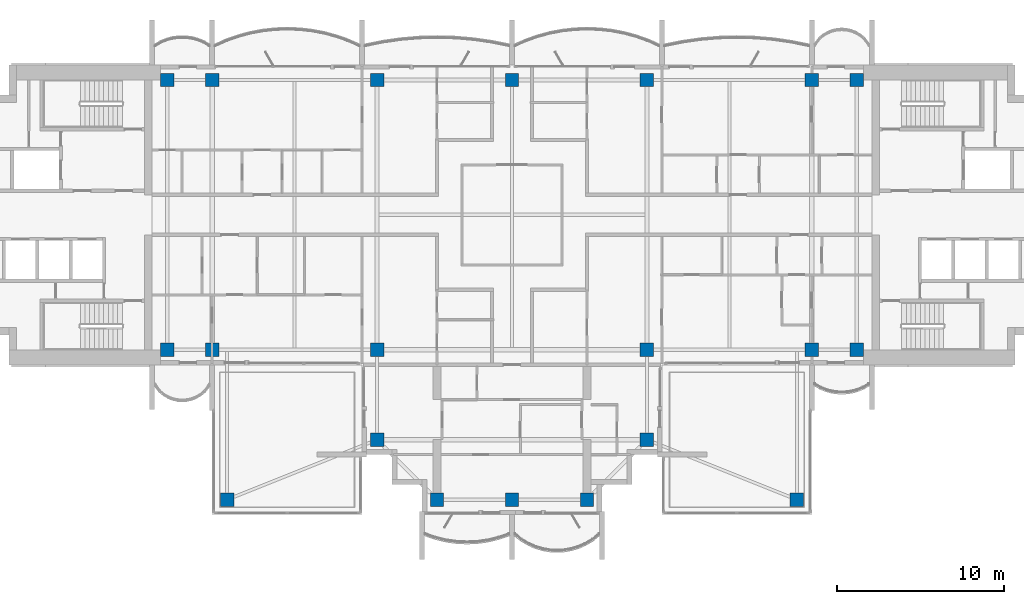
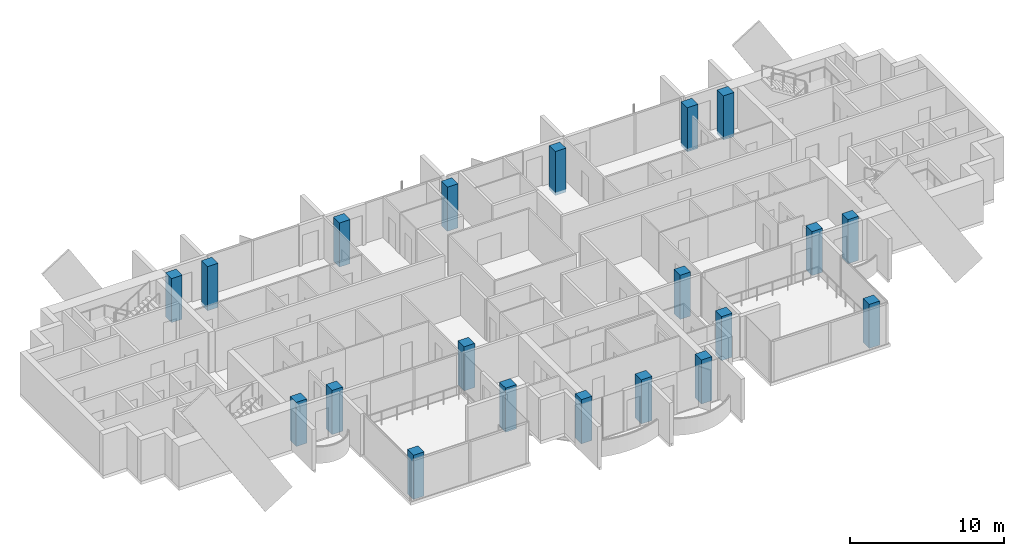
# One storey, part 1 of 16: 20 columns.
"""IFC4 building model written with IfcOpenShell, lengths in metres."""

import ifcopenshell
import ifcopenshell.guid

model = None  # the IFC model being written
_history = None  # IfcOwnerHistory: only IFC2X3 demands one
_inside = {}  # id of a spatial element -> (the spatial element, [elements in it])
_under = {}  # id of a project, library or spatial element -> (it, [spatial elements below it])
_declared = {}  # id of a project -> (the project, [libraries it declares])
_typed = {}  # id of a type object -> (the type object, [elements of that type])
_made_of = {}  # id of a material, layer set ... -> (it, [elements and type objects made of it])


def new_model(schema):
    """Start an empty IFC model of exactly this schema.

    Asked for "IFC4X3", IfcOpenShell would pick the latest addendum, in which some entities
    have other attributes; the version numbers below select the first issue.
    IFC2X3 requires an IfcOwnerHistory on every rooted entity: one is made here for all.
    """
    global model, _history
    if schema == "IFC4X3":
        model = ifcopenshell.file(schema_version=(4, 3, 0, 0))
    else:
        model = ifcopenshell.file(schema=schema)
    _inside.clear()
    _under.clear()
    _declared.clear()
    _typed.clear()
    _made_of.clear()
    _history = None
    if model.schema == "IFC2X3":
        org = make("IfcOrganization", Name="unknown")
        user = make(
            "IfcPersonAndOrganization",
            ThePerson=make("IfcPerson", FamilyName="unknown"),
            TheOrganization=org,
        )
        app = make(
            "IfcApplication",
            ApplicationDeveloper=org,
            Version="unknown",
            ApplicationFullName="unknown",
            ApplicationIdentifier="unknown",
        )
        _history = make(
            "IfcOwnerHistory",
            OwningUser=user,
            OwningApplication=app,
            ChangeAction="ADDED",
            CreationDate=0,
        )
    return model


def make(cls, **values):
    """One entity of the class cls with the attributes given. An attribute that is None is left unset."""
    return model.create_entity(
        cls, **{name: value for name, value in values.items() if value is not None}
    )


def rooted(cls, **values):
    """An entity with a GlobalId (a new one), such as an element, a storey or a relation."""
    return make(cls, GlobalId=ifcopenshell.guid.new(), OwnerHistory=_history, **values)


def si_unit(unit_type, name, prefix=None):
    """IfcSIUnit, for example si_unit("LENGTHUNIT", "METRE", prefix="MILLI")."""
    return make("IfcSIUnit", UnitType=unit_type, Prefix=prefix, Name=name)


def assignment(units):
    """IfcUnitAssignment: the units of a project."""
    return None if units is None else make("IfcUnitAssignment", Units=units)


def point(xyz):
    """IfcCartesianPoint."""
    return None if xyz is None else make("IfcCartesianPoint", Coordinates=xyz)


def direction(xyz):
    """IfcDirection."""
    return None if xyz is None else make("IfcDirection", DirectionRatios=xyz)


def frame(location, z_axis=None, x_axis=None):
    """IfcAxis2Placement3D, a coordinate frame: its origin and axes. An axis left out is left unset."""
    return make(
        "IfcAxis2Placement3D",
        Location=point(location),
        Axis=direction(z_axis),
        RefDirection=direction(x_axis),
    )


def frame_2d(location, x_axis=None):
    """IfcAxis2Placement2D, a coordinate frame in the plane: its origin and x axis."""
    return make(
        "IfcAxis2Placement2D", Location=point(location), RefDirection=direction(x_axis)
    )


def origin():
    """The frame at (0, 0, 0) with its axes left unset."""
    return frame((0.0, 0.0, 0.0))


def origin_2d():
    """The frame at (0, 0) in the plane with its x axis left unset."""
    return frame_2d((0.0, 0.0))


def place(relative_to, where):
    """IfcLocalPlacement: puts the frame where relative to a parent placement (None: the world)."""
    return make(
        "IfcLocalPlacement", PlacementRelTo=relative_to, RelativePlacement=where
    )


def context(
    kind, dimensions, precision=None, world=None, true_north=None, identifier=None
):
    """IfcGeometricRepresentationContext, for example the 3D "Model" context."""
    return make(
        "IfcGeometricRepresentationContext",
        ContextIdentifier=identifier,
        ContextType=kind,
        CoordinateSpaceDimension=dimensions,
        Precision=precision,
        WorldCoordinateSystem=world,
        TrueNorth=true_north,
    )


def subcontext(parent, identifier, kind, view, scale=None):
    """IfcGeometricRepresentationSubContext, for example "Body" below "Model"."""
    return make(
        "IfcGeometricRepresentationSubContext",
        ContextIdentifier=identifier,
        ContextType=kind,
        ParentContext=parent,
        TargetScale=scale,
        TargetView=view,
    )


def project(units=None, contexts=None):
    """IfcProject with its units and contexts."""
    return rooted(
        "IfcProject",
        Name="project",
        RepresentationContexts=contexts,
        UnitsInContext=assignment(units),
    )


def spatial(cls, under=None, at=None, **own):
    """A site, building, storey or space (cls), placed at a placement, below another one or the project."""
    s = rooted(cls, ObjectPlacement=at, **own)
    if under is not None:
        _under.setdefault(under.id(), (under, []))[1].append(s)
    return s


def profile(cls, at=None, kind="AREA", **sizes):
    """A parametric profile (cls). Its sizes go by their IFC names, for example OverallWidth=200.0."""
    return make(cls, ProfileType=kind, Position=at, **sizes)


def rectangle(**sizes):
    """IfcRectangleProfileDef."""
    return profile("IfcRectangleProfileDef", **sizes)


def extrude(swept, where, along, depth):
    """IfcExtrudedAreaSolid: the profile swept, set in the frame where, extruded along a direction by depth."""
    return make(
        "IfcExtrudedAreaSolid",
        SweptArea=swept,
        Position=where,
        ExtrudedDirection=direction(along),
        Depth=depth,
    )


def shape(context_of_items, identifier, shape_type, items):
    """IfcShapeRepresentation: the items that make up one representation, for example the "Body"."""
    return make(
        "IfcShapeRepresentation",
        ContextOfItems=context_of_items,
        RepresentationIdentifier=identifier,
        RepresentationType=shape_type,
        Items=items,
    )


def material(Name=None, Category=None):
    """IfcMaterial."""
    return make("IfcMaterial", Name=Name, Category=Category)


def material_profile(
    of_material, cross_section, Name=None, Category=None, Priority=None
):
    """IfcMaterialProfile: a cross section and its material."""
    return make(
        "IfcMaterialProfile",
        Name=Name,
        Material=of_material,
        Profile=cross_section,
        Priority=Priority,
        Category=Category,
    )


def profile_set(profiles, Name=None, composite=None):
    """IfcMaterialProfileSet."""
    return make(
        "IfcMaterialProfileSet",
        Name=Name,
        MaterialProfiles=profiles,
        CompositeProfile=composite,
    )


def made_of(thing, what):
    """Note that an element or type object is made of a material, layer set ...; save() writes the relation."""
    if what is not None:
        _made_of.setdefault(what.id(), (what, []))[1].append(thing)
    return thing


def type_object(cls, material=None, **own):
    """A type object (cls), such as IfcWallType, which elements share."""
    return made_of(rooted(cls, **own), material)


def element(
    cls,
    number,
    at=None,
    inside=None,
    cuts=None,
    type_object=None,
    material=None,
    context=None,
    identifier="Body",
    shape_type=None,
    held_by="IfcProductDefinitionShape",
    body=None,
    shapes=None,
    **own,
):
    """One element of the class cls, such as IfcWall. Its Tag is "e" and its number.

    at: its placement. inside: the storey or other place that contains it. cuts: it is an
    opening in that element (IfcRelVoidsElement). A single representation is given by context,
    identifier, shape_type and body (its items); several are given by shapes. held_by: the class
    of the entity that holds the representations. save() writes the other relations.
    """
    e = rooted(cls, Tag="e%d" % number, ObjectPlacement=at, **own)
    if body is not None:
        shapes = [shape(context, identifier, shape_type, body)]
    if shapes is not None:
        e.Representation = make(held_by, Representations=shapes)
    if inside is not None:
        _inside.setdefault(inside.id(), (inside, []))[1].append(e)
    if cuts is not None:
        rooted(
            "IfcRelVoidsElement", RelatingBuildingElement=cuts, RelatedOpeningElement=e
        )
    if type_object is not None:
        _typed.setdefault(type_object.id(), (type_object, []))[1].append(e)
    return made_of(e, material)


def aggregate(whole, parts):
    """IfcRelAggregates: a whole, such as a stair, and the parts it consists of."""
    return rooted("IfcRelAggregates", RelatingObject=whole, RelatedObjects=parts)


def save(model, path):
    """Write the relations noted so far, then the file.

    IfcRelAggregates (storeys below a building ...), IfcRelContainedInSpatialStructure (elements
    in a storey), IfcRelDefinesByType, IfcRelAssociatesMaterial and IfcRelDeclares: one each for
    every whole, place, type object, material and project.
    """
    for whole, parts in _under.values():
        aggregate(whole, parts)
    for where, things in _inside.values():
        rooted(
            "IfcRelContainedInSpatialStructure",
            RelatedElements=things,
            RelatingStructure=where,
        )
    for kind, things in _typed.values():
        rooted("IfcRelDefinesByType", RelatedObjects=things, RelatingType=kind)
    for what, things in _made_of.values():
        rooted("IfcRelAssociatesMaterial", RelatedObjects=things, RelatingMaterial=what)
    for by, libraries in _declared.values():
        rooted("IfcRelDeclares", RelatingContext=by, RelatedDefinitions=libraries)
    model.write(path)


model = new_model("IFC4")

# Units and contexts
model_context = context("Model", 3, precision=1e-05, world=origin(), true_north=direction((0.0, 1.0)))
body_context = subcontext(model_context, "Body", "Model", "MODEL_VIEW")
ifc_project = project(units=[si_unit("LENGTHUNIT", "METRE"), si_unit("AREAUNIT", "SQUARE_METRE"), si_unit("VOLUMEUNIT", "CUBIC_METRE"), si_unit("PLANEANGLEUNIT", "RADIAN"), si_unit("MASSUNIT", "GRAM", prefix="KILO")], contexts=[model_context])

# Site, building, storey
site_placement = place(None, origin())
site = spatial("IfcSite", under=ifc_project, at=site_placement, CompositionType="ELEMENT")
building_placement = place(site_placement, origin())
building = spatial("IfcBuilding", under=site, at=building_placement, Name="Perihelion Cross Residences", CompositionType="ELEMENT")
storey_placement = place(building_placement, frame((0.0, 0.0, 260.5)))
storey = spatial("IfcBuildingStorey", under=building, at=storey_placement, Name="L66", CompositionType="ELEMENT", Elevation=260.5)

# Columns
ifc_material = material(Name="Concrete C50/60", Category="concrete")
ifc_material_profile = material_profile(ifc_material, rectangle(XDim=0.800048828125, YDim=0.800048828125, at=origin_2d()), Name="RC 800x800")
ifc_profile_set = profile_set([ifc_material_profile], Name="Concrete C50/60")
column_type = type_object("IfcColumnType", Name="Reinforced concrete column 800x800 C50/60", PredefinedType="COLUMN", material=ifc_profile_set)
for number, where, z_axis, x_axis, name in (
    (1, (-20.699951171875, -8.10009765625, -0.25), (0.0, 0.0, 1.0), (1.0, 0.0, 0.0), "Column C017 L66 no. 1"),
    (2, (-20.699951171875, 8.10009765625, -0.25), (0.0, 0.0, 1.0), (1.0, 0.0, 0.0), "Column C010 L66 no. 1"),
    (3, (-18.0, -8.10009765625, -0.25), (0.0, 0.0, 1.0), (1.0, 0.0, 0.0), "Column C018 L66 no. 1"),
    (4, (-18.0, 8.10009765625, -0.25), (0.0, 0.0, 1.0), (1.0, 0.0, 0.0), "Column C011 L66 no. 1"),
    (5, (-8.10009765625, -13.5, -0.25), (0.0, 0.0, 1.0), (1.0, 0.0, 0.0), "Column C025 L66 no. 1"),
    (6, (-8.10009765625, -8.10009765625, -0.25), (0.0, 0.0, 1.0), (1.0, 0.0, 0.0), "Column C019 L66 no. 1"),
    (7, (-8.10009765625, 8.10009765625, -0.25), (0.0, 0.0, 1.0), (1.0, 0.0, 0.0), "Column C012 L66 no. 1"),
    (8, (-4.5, -17.10009765625, -0.25), (0.0, 0.0, 1.0), (1.0, 0.0, 0.0), "Column C032 L66 no. 1"),
    (9, (0.0, -17.10009765625, -0.25), (0.0, 0.0, 1.0), (1.0, 0.0, 0.0), "Column C033 L66 no. 1"),
    (10, (0.0, 8.10009765625, -0.25), (0.0, 0.0, 1.0), (1.0, 0.0, 0.0), "Column C013 L66 no. 1"),
    (11, (4.5, -17.10009765625, -0.25), (0.0, 0.0, 1.0), (1.0, 0.0, 0.0), "Column C034 L66 no. 1"),
    (12, (8.10009765625, -13.5, -0.25), (0.0, 0.0, 1.0), (1.0, 0.0, 0.0), "Column C029 L66 no. 1"),
    (13, (8.10009765625, -8.10009765625, -0.25), (0.0, 0.0, 1.0), (1.0, 0.0, 0.0), "Column C020 L66 no. 1"),
    (14, (8.10009765625, 8.10009765625, -0.25), (0.0, 0.0, 1.0), (1.0, 0.0, 0.0), "Column C014 L66 no. 1"),
    (15, (18.0, -8.10009765625, -0.25), (0.0, 0.0, 1.0), (1.0, 0.0, 0.0), "Column C021 L66 no. 1"),
    (16, (18.0, 8.10009765625, -0.25), (0.0, 0.0, 1.0), (1.0, 0.0, 0.0), "Column C015 L66 no. 1"),
    (17, (20.699951171875, -8.10009765625, -0.25), (0.0, 0.0, 1.0), (1.0, 0.0, 0.0), "Column C022 L66 no. 1"),
    (18, (20.699951171875, 8.10009765625, -0.25), (0.0, 0.0, 1.0), (1.0, 0.0, 0.0), "Column C016 L66 no. 1"),
    (19, (-17.10009765625, -17.10009765625, -0.25), (0.0, 0.0, 1.0), (1.0, 0.0, 0.0), "Column C030 L66 no. 1"),
    (20, (17.10009765625, -17.10009765625, -0.25), (0.0, 0.0, 1.0), (1.0, 0.0, 0.0), "Column C036 L66 no. 1"),
):
    element("IfcColumn", number, at=place(storey_placement, frame(where, z_axis=z_axis, x_axis=x_axis)), inside=storey, type_object=column_type, Name=name, PredefinedType="COLUMN", context=body_context, shape_type="SweptSolid", body=[
        extrude(rectangle(XDim=0.800048828125, YDim=0.800048828125, at=origin_2d()), origin(), (0.0, 0.0, 1.0), 3.5),
    ])

save(model, "model.ifc")
